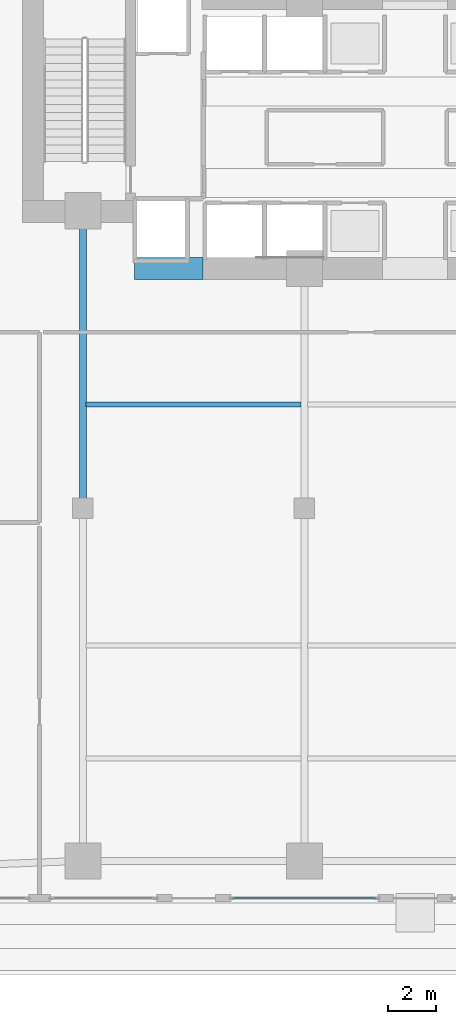
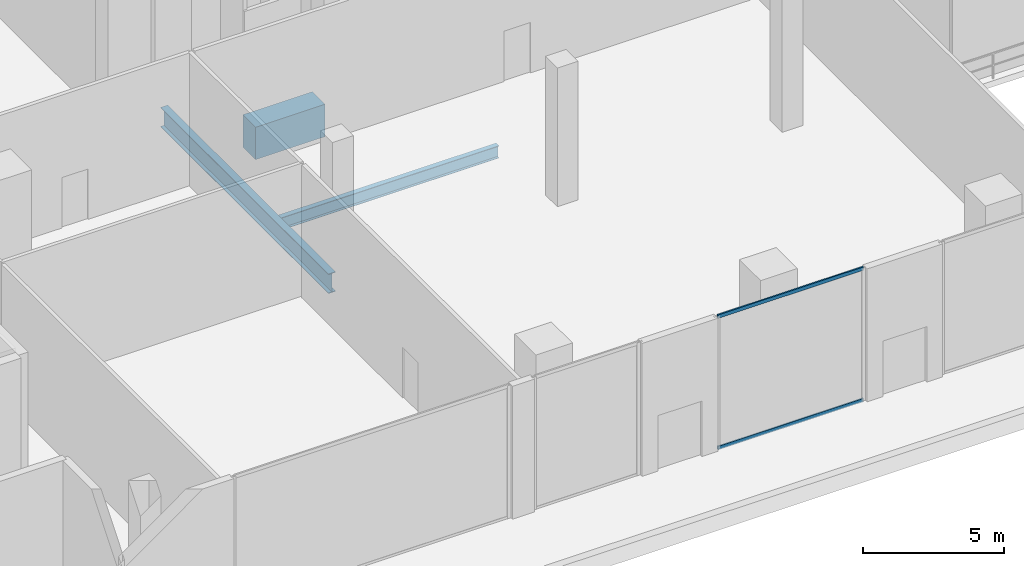
# One storey, part 7 of 39: 3 beams, 2 members, 1 element without a shape of its own.
"""IFC4 building model written with IfcOpenShell, lengths in metres."""

from ifc_helpers import new_model, si_unit, direction, frame, origin, origin_2d, place, context, subcontext, project, spatial, rectangle, hollow_rectangle, i_section, extrude, material, layer, layer_set, material_profile, profile_set, type_object, element, aggregate, save


model = new_model("IFC4")

# Units and contexts
model_context = context("Model", 3, precision=1e-05, world=origin(), true_north=direction((0.0, 1.0)))
body_context = subcontext(model_context, "Body", "Model", "MODEL_VIEW")
ifc_project = project(units=[si_unit("LENGTHUNIT", "METRE"), si_unit("AREAUNIT", "SQUARE_METRE"), si_unit("VOLUMEUNIT", "CUBIC_METRE"), si_unit("PLANEANGLEUNIT", "RADIAN"), si_unit("MASSUNIT", "GRAM", prefix="KILO")], contexts=[model_context])

# Site, building, storey
site_placement = place(None, origin())
site = spatial("IfcSite", under=ifc_project, at=site_placement, CompositionType="ELEMENT")
building_placement = place(site_placement, origin())
building = spatial("IfcBuilding", under=site, at=building_placement, Name="Zuhayl Quay Hotel", CompositionType="ELEMENT")
storey_placement = place(building_placement, origin())
storey = spatial("IfcBuildingStorey", under=building, at=storey_placement, Name="L00", CompositionType="ELEMENT", Elevation=0.0)

# Beams
ifc_material_1 = material(Name="Concrete C60/75", Category="concrete")
ifc_material_profile_1 = material_profile(ifc_material_1, rectangle(XDim=0.89990234375, YDim=1.39990234375, at=origin_2d()), Name="RC900X1400")
ifc_profile_set_1 = profile_set([ifc_material_profile_1], Name="Concrete C60/75")
beam_type_1 = type_object("IfcBeamType", Name="BM_CB1_RC900", PredefinedType="T_BEAM", material=ifc_profile_set_1)
beam_1_placement = place(storey_placement, frame((-11.64990234375, 2.14990234375, -0.9599609375), z_axis=(1.0, 0.0, 0.0), x_axis=(0.0, 1.0, 0.0)))
element("IfcBeam", 1, at=beam_1_placement, inside=storey, type_object=beam_type_1, Name="L00 Core Coupling Beam SW", PredefinedType="T_BEAM", context=body_context, shape_type="SweptSolid", body=[
    extrude(rectangle(XDim=0.89990234375, YDim=1.39990234375, at=origin_2d()), origin(), (0.0, 0.0, 1.0), 2.849853515625),
])
ifc_material_2 = material(Name="Steel ASTM A992 Grade 50", Category="steel")
ifc_material_profile_2 = material_profile(ifc_material_2, i_section(OverallWidth=0.208984375, OverallDepth=0.532958984375, WebThickness=0.01025390625, FlangeThickness=0.015625, at=origin_2d()), Name="W21X62")
ifc_profile_set_2 = profile_set([ifc_material_profile_2], Name="Steel ASTM A992 Grade 50")
beam_type_2 = type_object("IfcBeamType", Name="BM_J1_W21X62", PredefinedType="JOIST", material=ifc_profile_set_2)
beam_2_placement = place(storey_placement, frame((-13.662109375, -3.5, -0.526611328125), z_axis=(1.0, 0.0, 0.0), x_axis=(0.0, 1.0, 0.0)))
element("IfcBeam", 2, at=beam_2_placement, inside=storey, type_object=beam_type_2, Name="L00 Floor Beam J_POD_L00_3_1", PredefinedType="JOIST", context=body_context, shape_type="SweptSolid", body=[
    extrude(i_section(OverallWidth=0.208984375, OverallDepth=0.532958984375, WebThickness=0.01025390625, FlangeThickness=0.015625, at=origin_2d()), origin(), (0.0, 0.0, 1.0), 8.924072265625),
])
ifc_material_profile_3 = material_profile(ifc_material_2, i_section(OverallWidth=0.2919921875, OverallDepth=0.845947265625, WebThickness=0.015380859375, FlangeThickness=0.0244140625, at=origin_2d()), Name="W33X141")
ifc_profile_set_3 = profile_set([ifc_material_profile_3], Name="Steel ASTM A992 Grade 50")
beam_type_3 = type_object("IfcBeamType", Name="BM_PG3_W33X141", PredefinedType="BEAM", material=ifc_profile_set_3)
beam_3_placement = place(storey_placement, frame((-13.800048828125, -7.449951171875, -0.68310546875), z_axis=(0.0, 1.0, 0.0), x_axis=(-1.0, 0.0, 0.0)))
element("IfcBeam", 3, at=beam_3_placement, inside=storey, type_object=beam_type_3, Name="L00 Floor Beam PG_NS2_L00_1", PredefinedType="BEAM", context=body_context, shape_type="SweptSolid", body=[
    extrude(i_section(OverallWidth=0.2919921875, OverallDepth=0.845947265625, WebThickness=0.015380859375, FlangeThickness=0.0244140625, at=origin_2d()), origin(), (0.0, 0.0, 1.0), 11.89990234375),
])

# Curtain wall, members
ifc_material_3 = material(Name="Anodised Aluminium 6063-T6", Category="aluminium")
ifc_layer = layer(ifc_material_3, 0.199951171875, Name="Anodised Aluminium 6063-T6", Category="aluminium")
ifc_layer_set = layer_set([ifc_layer], Name="Anodised Aluminium 6063-T6")
curtain_wall_type = type_object("IfcCurtainWallType", Name="CW_SYS_POD", PredefinedType="USERDEFINED", material=ifc_layer_set)
curtain_wall_placement = place(storey_placement, origin())
curtain_wall = element("IfcCurtainWall", 4, at=curtain_wall_placement, inside=storey, type_object=curtain_wall_type, Name="L00 Curtain Wall ENV_L00_E11_CW4", ObjectType="UNITISED CURTAIN WALL", PredefinedType="USERDEFINED")
ifc_material_4 = material(Name="Black-anodised aluminium 6063-T6", Category="aluminium")
ifc_material_profile_4 = material_profile(ifc_material_4, hollow_rectangle(XDim=0.06005859375, YDim=0.14990234375, WallThickness=0.00341796875, at=origin_2d()), Name="ALU150X60")
ifc_profile_set_4 = profile_set([ifc_material_profile_4], Name="Black-anodised aluminium 6063-T6")
member_type = type_object("IfcMemberType", Name="MB_CW_TRN_150", PredefinedType="USERDEFINED", material=ifc_profile_set_4)
member_1_placement = place(storey_placement, frame((-1.625, -24.0, 0.030029296875), z_axis=(-1.0, 0.0, 0.0), x_axis=(0.0, -1.0, 0.0)))
member_1 = element("IfcMember", 5, at=member_1_placement, type_object=member_type, Name="CW-POD transom 1.1", ObjectType="TRANSOM", PredefinedType="USERDEFINED", context=body_context, shape_type="SweptSolid", body=[
    extrude(hollow_rectangle(XDim=0.06005859375, YDim=0.14990234375, WallThickness=0.00341796875, at=origin_2d()), origin(), (0.0, 0.0, 1.0), 5.949951171875),
])
member_2_placement = place(storey_placement, frame((-1.625, -24.0, 5.719970703125), z_axis=(-1.0, 0.0, 0.0), x_axis=(0.0, -1.0, 0.0)))
member_2 = element("IfcMember", 6, at=member_2_placement, type_object=member_type, Name="CW-POD transom 1.2", ObjectType="TRANSOM", PredefinedType="USERDEFINED", context=body_context, shape_type="SweptSolid", body=[
    extrude(hollow_rectangle(XDim=0.06005859375, YDim=0.14990234375, WallThickness=0.00341796875, at=origin_2d()), origin(), (0.0, 0.0, 1.0), 5.949951171875),
])
aggregate(curtain_wall, [member_1, member_2])

save(model, "model.ifc")
